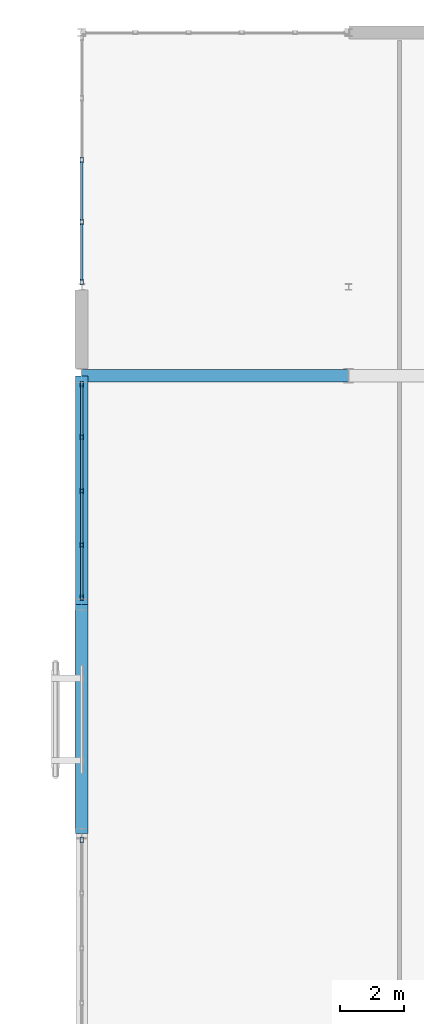
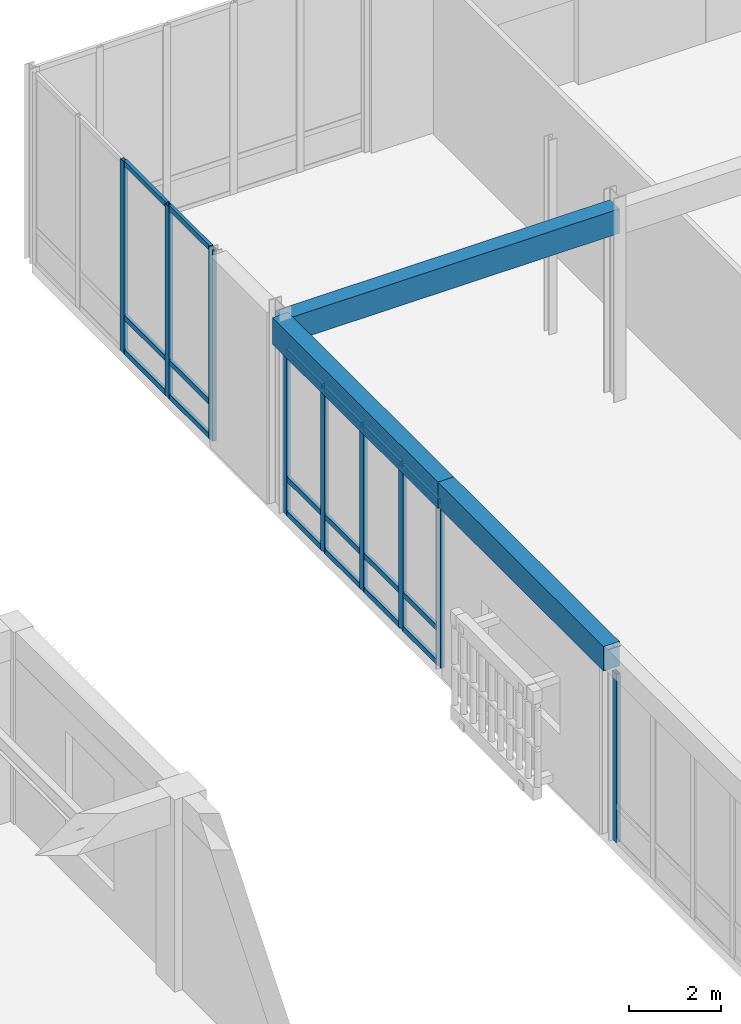
# One storey, part 69 of 169: 27 members, 3 beams, 3 elements without a shape of their own.
"""IFC4 building model written with IfcOpenShell, lengths in metres."""

from ifc_helpers import new_model, si_unit, direction, frame, origin, origin_2d, place, context, subcontext, project, spatial, rectangle, hollow_rectangle, extrude, material, layer, layer_set, material_profile, profile_set, type_object, element, aggregate, save


model = new_model("IFC4")

# Units and contexts
model_context = context("Model", 3, precision=1e-05, world=origin(), true_north=direction((0.0, 1.0)))
body_context = subcontext(model_context, "Body", "Model", "MODEL_VIEW")
ifc_project = project(units=[si_unit("LENGTHUNIT", "METRE"), si_unit("AREAUNIT", "SQUARE_METRE"), si_unit("VOLUMEUNIT", "CUBIC_METRE"), si_unit("PLANEANGLEUNIT", "RADIAN"), si_unit("MASSUNIT", "GRAM", prefix="KILO")], contexts=[model_context])

# Site, building, storey
site_placement = place(None, origin())
site = spatial("IfcSite", under=ifc_project, at=site_placement, CompositionType="ELEMENT")
building_placement = place(site_placement, origin())
building = spatial("IfcBuilding", under=site, at=building_placement, Name="Mazaris Harbour Polytechnic", CompositionType="ELEMENT")
storey_placement = place(building_placement, origin())
storey = spatial("IfcBuildingStorey", under=building, at=storey_placement, Name="L00", CompositionType="ELEMENT", Elevation=0.0)

# Curtain wall, member
ifc_material_1 = material(Name="Anodised Bronze Aluminium and Low-E Glass", Category="aluminium")
ifc_layer = layer(ifc_material_1, 0.14990234375, Name="Anodised Bronze Aluminium and Low-E Glass")
ifc_layer_set = layer_set([ifc_layer], Name="Anodised Bronze Aluminium and Low-E Glass")
curtain_wall_type = type_object("IfcCurtainWallType", Name="Workshop Clerestory Curtain Wall", PredefinedType="NOTDEFINED", material=ifc_layer_set)
curtain_wall_1_placement = place(storey_placement, origin())
curtain_wall_1 = element("IfcCurtainWall", 1, at=curtain_wall_1_placement, inside=storey, type_object=curtain_wall_type, Name="V1 L00 Curtain Wall 7", PredefinedType="NOTDEFINED")
ifc_material_2 = material(Name="Anodised Bronze Steel S355", Category="steel")
ifc_material_profile_1 = material_profile(ifc_material_2, hollow_rectangle(XDim=0.10009765625, YDim=0.179931640625, WallThickness=0.008056640625, at=origin_2d()), Name="RHS 100x180x8.0")
ifc_profile_set_1 = profile_set([ifc_material_profile_1], Name="Anodised Bronze Steel S355")
member_type_1 = type_object("IfcMemberType", Name="Curtain Mullion RHS100x180", PredefinedType="MULLION", material=ifc_profile_set_1)
member_1_placement = place(storey_placement, frame((54.0, 93.39306640625, 0.0), z_axis=(0.0, 0.0, 1.0), x_axis=(-1.0, 0.0, 0.0)))
member_1 = element("IfcMember", 2, at=member_1_placement, type_object=member_type_1, Name="CW-04 mullion 5", PredefinedType="MULLION", context=body_context, shape_type="SweptSolid", body=[
    extrude(hollow_rectangle(XDim=0.10009765625, YDim=0.179931640625, WallThickness=0.008056640625, at=origin_2d()), origin(), (0.0, 0.0, 1.0), 4.469970703125),
])
aggregate(curtain_wall_1, [member_1])

# Curtain wall, members
curtain_wall_2_placement = place(storey_placement, origin())
curtain_wall_2 = element("IfcCurtainWall", 3, at=curtain_wall_2_placement, inside=storey, type_object=curtain_wall_type, Name="V1 L00 Curtain Wall 8", PredefinedType="NOTDEFINED")
member_2_placement = place(storey_placement, frame((54.0, 101.027099609375, 0.0), z_axis=(0.0, 0.0, 1.0), x_axis=(-1.0, 0.0, 0.0)))
member_2 = element("IfcMember", 4, at=member_2_placement, type_object=member_type_1, Name="CW-04 mullion 1", PredefinedType="MULLION", context=body_context, shape_type="SweptSolid", body=[
    extrude(hollow_rectangle(XDim=0.10009765625, YDim=0.179931640625, WallThickness=0.008056640625, at=origin_2d()), origin(), (0.0, 0.0, 1.0), 4.3701171875),
])
member_3_placement = place(storey_placement, frame((54.0, 102.67724609375, 0.0), z_axis=(0.0, 0.0, 1.0), x_axis=(-1.0, 0.0, 0.0)))
member_3 = element("IfcMember", 5, at=member_3_placement, type_object=member_type_1, Name="CW-04 mullion 2", PredefinedType="MULLION", context=body_context, shape_type="SweptSolid", body=[
    extrude(hollow_rectangle(XDim=0.10009765625, YDim=0.179931640625, WallThickness=0.008056640625, at=origin_2d()), origin(), (0.0, 0.0, 1.0), 4.3701171875),
])
member_4_placement = place(storey_placement, frame((54.0, 104.37744140625, 0.0), z_axis=(0.0, 0.0, 1.0), x_axis=(-1.0, 0.0, 0.0)))
member_4 = element("IfcMember", 6, at=member_4_placement, type_object=member_type_1, Name="CW-04 mullion 3", PredefinedType="MULLION", context=body_context, shape_type="SweptSolid", body=[
    extrude(hollow_rectangle(XDim=0.10009765625, YDim=0.179931640625, WallThickness=0.008056640625, at=origin_2d()), origin(), (0.0, 0.0, 1.0), 4.3701171875),
])
member_5_placement = place(storey_placement, frame((54.0, 106.07763671875, 0.0), z_axis=(0.0, 0.0, 1.0), x_axis=(-1.0, 0.0, 0.0)))
member_5 = element("IfcMember", 7, at=member_5_placement, type_object=member_type_1, Name="CW-04 mullion 4", PredefinedType="MULLION", context=body_context, shape_type="SweptSolid", body=[
    extrude(hollow_rectangle(XDim=0.10009765625, YDim=0.179931640625, WallThickness=0.008056640625, at=origin_2d()), origin(), (0.0, 0.0, 1.0), 4.3701171875),
])
member_6_placement = place(storey_placement, frame((54.0, 107.72802734375, 0.0), z_axis=(0.0, 0.0, 1.0), x_axis=(-1.0, 0.0, 0.0)))
member_6 = element("IfcMember", 8, at=member_6_placement, type_object=member_type_1, Name="CW-04 mullion 5", PredefinedType="MULLION", context=body_context, shape_type="SweptSolid", body=[
    extrude(hollow_rectangle(XDim=0.10009765625, YDim=0.179931640625, WallThickness=0.008056640625, at=origin_2d()), origin(), (0.0, 0.0, 1.0), 4.3701171875),
])

curtain_wall_3_placement = place(storey_placement, origin())
curtain_wall_3 = element("IfcCurtainWall", 9, at=curtain_wall_3_placement, inside=storey, type_object=curtain_wall_type, Name="V1 L00 Curtain Wall 9", PredefinedType="NOTDEFINED")
member_7_placement = place(storey_placement, frame((54.0, 110.947021484375, 0.0), z_axis=(0.0, 0.0, 1.0), x_axis=(-1.0, 0.0, 0.0)))
member_7 = element("IfcMember", 10, at=member_7_placement, type_object=member_type_1, Name="CW-04 mullion 1", PredefinedType="MULLION", context=body_context, shape_type="SweptSolid", body=[
    extrude(hollow_rectangle(XDim=0.10009765625, YDim=0.179931640625, WallThickness=0.008056640625, at=origin_2d()), origin(), (0.0, 0.0, 1.0), 5.080078125),
])
member_8_placement = place(storey_placement, frame((54.0, 112.843505859375, 0.0), z_axis=(0.0, 0.0, 1.0), x_axis=(-1.0, 0.0, 0.0)))
member_8 = element("IfcMember", 11, at=member_8_placement, type_object=member_type_1, Name="CW-04 mullion 2", PredefinedType="MULLION", context=body_context, shape_type="SweptSolid", body=[
    extrude(hollow_rectangle(XDim=0.10009765625, YDim=0.179931640625, WallThickness=0.008056640625, at=origin_2d()), origin(), (0.0, 0.0, 1.0), 5.080078125),
])
member_9_placement = place(storey_placement, frame((54.0, 114.7900390625, 0.0), z_axis=(0.0, 0.0, 1.0), x_axis=(-1.0, 0.0, 0.0)))
member_9 = element("IfcMember", 12, at=member_9_placement, type_object=member_type_1, Name="CW-04 mullion 3", PredefinedType="MULLION", context=body_context, shape_type="SweptSolid", body=[
    extrude(hollow_rectangle(XDim=0.10009765625, YDim=0.179931640625, WallThickness=0.008056640625, at=origin_2d()), origin(), (0.0, 0.0, 1.0), 5.080078125),
])

# Member
ifc_material_3 = material(Name="Anodised Bronze Steel S355", Category="steel")
ifc_material_profile_2 = material_profile(ifc_material_3, hollow_rectangle(XDim=0.080078125, YDim=0.139892578125, WallThickness=0.00634765625, at=origin_2d()), Name="RHS 80x140x6.3")
ifc_profile_set_2 = profile_set([ifc_material_profile_2], Name="Anodised Bronze Steel S355")
member_type_2 = type_object("IfcMemberType", Name="Curtain Transom RHS80x140", PredefinedType="USERDEFINED", material=ifc_profile_set_2)
member_10_placement = place(storey_placement, frame((54.0, 101.076904296875, 0.0400390625), z_axis=(0.0, 1.0, 0.0), x_axis=(-1.0, 0.0, 0.0)))
member_10 = element("IfcMember", 13, at=member_10_placement, type_object=member_type_2, Name="CW-04 transom 1.1", ObjectType="TRANSOM", PredefinedType="USERDEFINED", context=body_context, shape_type="SweptSolid", body=[
    extrude(hollow_rectangle(XDim=0.080078125, YDim=0.139892578125, WallThickness=0.00634765625, at=origin_2d()), origin(), (0.0, 0.0, 1.0), 1.55029296875),
])

member_11_placement = place(storey_placement, frame((54.0, 101.076904296875, 0.949951171875), z_axis=(0.0, 1.0, 0.0), x_axis=(-1.0, 0.0, 0.0)))
member_11 = element("IfcMember", 14, at=member_11_placement, type_object=member_type_2, Name="CW-04 transom 1.2", ObjectType="TRANSOM", PredefinedType="USERDEFINED", context=body_context, shape_type="SweptSolid", body=[
    extrude(hollow_rectangle(XDim=0.080078125, YDim=0.139892578125, WallThickness=0.00634765625, at=origin_2d()), origin(), (0.0, 0.0, 1.0), 1.55029296875),
])

member_12_placement = place(storey_placement, frame((54.0, 101.076904296875, 4.330078125), z_axis=(0.0, 1.0, 0.0), x_axis=(-1.0, 0.0, 0.0)))
member_12 = element("IfcMember", 15, at=member_12_placement, type_object=member_type_2, Name="CW-04 transom 1.3", ObjectType="TRANSOM", PredefinedType="USERDEFINED", context=body_context, shape_type="SweptSolid", body=[
    extrude(hollow_rectangle(XDim=0.080078125, YDim=0.139892578125, WallThickness=0.00634765625, at=origin_2d()), origin(), (0.0, 0.0, 1.0), 1.55029296875),
])

member_13_placement = place(storey_placement, frame((54.0, 102.727294921875, 0.0400390625), z_axis=(0.0, 1.0, 0.0), x_axis=(-1.0, 0.0, 0.0)))
member_13 = element("IfcMember", 16, at=member_13_placement, type_object=member_type_2, Name="CW-04 transom 2.1", ObjectType="TRANSOM", PredefinedType="USERDEFINED", context=body_context, shape_type="SweptSolid", body=[
    extrude(hollow_rectangle(XDim=0.080078125, YDim=0.139892578125, WallThickness=0.00634765625, at=origin_2d()), origin(), (0.0, 0.0, 1.0), 1.60009765625),
])

member_14_placement = place(storey_placement, frame((54.0, 102.727294921875, 0.949951171875), z_axis=(0.0, 1.0, 0.0), x_axis=(-1.0, 0.0, 0.0)))
member_14 = element("IfcMember", 17, at=member_14_placement, type_object=member_type_2, Name="CW-04 transom 2.2", ObjectType="TRANSOM", PredefinedType="USERDEFINED", context=body_context, shape_type="SweptSolid", body=[
    extrude(hollow_rectangle(XDim=0.080078125, YDim=0.139892578125, WallThickness=0.00634765625, at=origin_2d()), origin(), (0.0, 0.0, 1.0), 1.60009765625),
])

member_15_placement = place(storey_placement, frame((54.0, 102.727294921875, 4.330078125), z_axis=(0.0, 1.0, 0.0), x_axis=(-1.0, 0.0, 0.0)))
member_15 = element("IfcMember", 18, at=member_15_placement, type_object=member_type_2, Name="CW-04 transom 2.3", ObjectType="TRANSOM", PredefinedType="USERDEFINED", context=body_context, shape_type="SweptSolid", body=[
    extrude(hollow_rectangle(XDim=0.080078125, YDim=0.139892578125, WallThickness=0.00634765625, at=origin_2d()), origin(), (0.0, 0.0, 1.0), 1.60009765625),
])

member_16_placement = place(storey_placement, frame((54.0, 104.427490234375, 0.0400390625), z_axis=(0.0, 1.0, 0.0), x_axis=(-1.0, 0.0, 0.0)))
member_16 = element("IfcMember", 19, at=member_16_placement, type_object=member_type_2, Name="CW-04 transom 3.1", ObjectType="TRANSOM", PredefinedType="USERDEFINED", context=body_context, shape_type="SweptSolid", body=[
    extrude(hollow_rectangle(XDim=0.080078125, YDim=0.139892578125, WallThickness=0.00634765625, at=origin_2d()), origin(), (0.0, 0.0, 1.0), 1.600341796875),
])

member_17_placement = place(storey_placement, frame((54.0, 104.427490234375, 0.949951171875), z_axis=(0.0, 1.0, 0.0), x_axis=(-1.0, 0.0, 0.0)))
member_17 = element("IfcMember", 20, at=member_17_placement, type_object=member_type_2, Name="CW-04 transom 3.2", ObjectType="TRANSOM", PredefinedType="USERDEFINED", context=body_context, shape_type="SweptSolid", body=[
    extrude(hollow_rectangle(XDim=0.080078125, YDim=0.139892578125, WallThickness=0.00634765625, at=origin_2d()), origin(), (0.0, 0.0, 1.0), 1.600341796875),
])

member_18_placement = place(storey_placement, frame((54.0, 104.427490234375, 4.330078125), z_axis=(0.0, 1.0, 0.0), x_axis=(-1.0, 0.0, 0.0)))
member_18 = element("IfcMember", 21, at=member_18_placement, type_object=member_type_2, Name="CW-04 transom 3.3", ObjectType="TRANSOM", PredefinedType="USERDEFINED", context=body_context, shape_type="SweptSolid", body=[
    extrude(hollow_rectangle(XDim=0.080078125, YDim=0.139892578125, WallThickness=0.00634765625, at=origin_2d()), origin(), (0.0, 0.0, 1.0), 1.600341796875),
])

member_19_placement = place(storey_placement, frame((54.0, 106.127685546875, 0.0400390625), z_axis=(0.0, 1.0, 0.0), x_axis=(-1.0, 0.0, 0.0)))
member_19 = element("IfcMember", 22, at=member_19_placement, type_object=member_type_2, Name="CW-04 transom 4.1", ObjectType="TRANSOM", PredefinedType="USERDEFINED", context=body_context, shape_type="SweptSolid", body=[
    extrude(hollow_rectangle(XDim=0.080078125, YDim=0.139892578125, WallThickness=0.00634765625, at=origin_2d()), origin(), (0.0, 0.0, 1.0), 1.55029296875),
])

member_20_placement = place(storey_placement, frame((54.0, 106.127685546875, 0.949951171875), z_axis=(0.0, 1.0, 0.0), x_axis=(-1.0, 0.0, 0.0)))
member_20 = element("IfcMember", 23, at=member_20_placement, type_object=member_type_2, Name="CW-04 transom 4.2", ObjectType="TRANSOM", PredefinedType="USERDEFINED", context=body_context, shape_type="SweptSolid", body=[
    extrude(hollow_rectangle(XDim=0.080078125, YDim=0.139892578125, WallThickness=0.00634765625, at=origin_2d()), origin(), (0.0, 0.0, 1.0), 1.55029296875),
])

member_21_placement = place(storey_placement, frame((54.0, 106.127685546875, 4.330078125), z_axis=(0.0, 1.0, 0.0), x_axis=(-1.0, 0.0, 0.0)))
member_21 = element("IfcMember", 24, at=member_21_placement, type_object=member_type_2, Name="CW-04 transom 4.3", ObjectType="TRANSOM", PredefinedType="USERDEFINED", context=body_context, shape_type="SweptSolid", body=[
    extrude(hollow_rectangle(XDim=0.080078125, YDim=0.139892578125, WallThickness=0.00634765625, at=origin_2d()), origin(), (0.0, 0.0, 1.0), 1.55029296875),
])

aggregate(curtain_wall_2, [member_2, member_3, member_4, member_5, member_6, member_10, member_11, member_12, member_13, member_14, member_15, member_16, member_17, member_18, member_19, member_20, member_21])

member_22_placement = place(storey_placement, frame((54.0, 110.9970703125, 0.0400390625), z_axis=(0.0, 1.0, 0.0), x_axis=(-1.0, 0.0, 0.0)))
member_22 = element("IfcMember", 25, at=member_22_placement, type_object=member_type_2, Name="CW-04 transom 1.1", ObjectType="TRANSOM", PredefinedType="USERDEFINED", context=body_context, shape_type="SweptSolid", body=[
    extrude(hollow_rectangle(XDim=0.080078125, YDim=0.139892578125, WallThickness=0.00634765625, at=origin_2d()), origin(), (0.0, 0.0, 1.0), 1.79638671875),
])

member_23_placement = place(storey_placement, frame((54.0, 110.9970703125, 0.949951171875), z_axis=(0.0, 1.0, 0.0), x_axis=(-1.0, 0.0, 0.0)))
member_23 = element("IfcMember", 26, at=member_23_placement, type_object=member_type_2, Name="CW-04 transom 1.2", ObjectType="TRANSOM", PredefinedType="USERDEFINED", context=body_context, shape_type="SweptSolid", body=[
    extrude(hollow_rectangle(XDim=0.080078125, YDim=0.139892578125, WallThickness=0.00634765625, at=origin_2d()), origin(), (0.0, 0.0, 1.0), 1.79638671875),
])

member_24_placement = place(storey_placement, frame((54.0, 110.9970703125, 5.0400390625), z_axis=(0.0, 1.0, 0.0), x_axis=(-1.0, 0.0, 0.0)))
member_24 = element("IfcMember", 27, at=member_24_placement, type_object=member_type_2, Name="CW-04 transom 1.3", ObjectType="TRANSOM", PredefinedType="USERDEFINED", context=body_context, shape_type="SweptSolid", body=[
    extrude(hollow_rectangle(XDim=0.080078125, YDim=0.139892578125, WallThickness=0.00634765625, at=origin_2d()), origin(), (0.0, 0.0, 1.0), 1.79638671875),
])

member_25_placement = place(storey_placement, frame((54.0, 112.8935546875, 0.0400390625), z_axis=(0.0, 1.0, 0.0), x_axis=(-1.0, 0.0, 0.0)))
member_25 = element("IfcMember", 28, at=member_25_placement, type_object=member_type_2, Name="CW-04 transom 2.1", ObjectType="TRANSOM", PredefinedType="USERDEFINED", context=body_context, shape_type="SweptSolid", body=[
    extrude(hollow_rectangle(XDim=0.080078125, YDim=0.139892578125, WallThickness=0.00634765625, at=origin_2d()), origin(), (0.0, 0.0, 1.0), 1.846435546875),
])

member_26_placement = place(storey_placement, frame((54.0, 112.8935546875, 0.949951171875), z_axis=(0.0, 1.0, 0.0), x_axis=(-1.0, 0.0, 0.0)))
member_26 = element("IfcMember", 29, at=member_26_placement, type_object=member_type_2, Name="CW-04 transom 2.2", ObjectType="TRANSOM", PredefinedType="USERDEFINED", context=body_context, shape_type="SweptSolid", body=[
    extrude(hollow_rectangle(XDim=0.080078125, YDim=0.139892578125, WallThickness=0.00634765625, at=origin_2d()), origin(), (0.0, 0.0, 1.0), 1.846435546875),
])

member_27_placement = place(storey_placement, frame((54.0, 112.8935546875, 5.0400390625), z_axis=(0.0, 1.0, 0.0), x_axis=(-1.0, 0.0, 0.0)))
member_27 = element("IfcMember", 30, at=member_27_placement, type_object=member_type_2, Name="CW-04 transom 2.3", ObjectType="TRANSOM", PredefinedType="USERDEFINED", context=body_context, shape_type="SweptSolid", body=[
    extrude(hollow_rectangle(XDim=0.080078125, YDim=0.139892578125, WallThickness=0.00634765625, at=origin_2d()), origin(), (0.0, 0.0, 1.0), 1.846435546875),
])

aggregate(curtain_wall_3, [member_7, member_8, member_9, member_22, member_23, member_24, member_25, member_26, member_27])

# Beams
ifc_material_4 = material(Name="Concrete C35/45", Category="concrete")
ifc_material_profile_3 = material_profile(ifc_material_4, rectangle(XDim=0.39990234375, YDim=0.64990234375, at=origin_2d()), Name="RECT400x650")
ifc_profile_set_3 = profile_set([ifc_material_profile_3], Name="Concrete C35/45")
beam_type_1 = type_object("IfcBeamType", Name="RC Girder 400x650 Exterior", PredefinedType="BEAM", material=ifc_profile_set_3)
beam_1_placement = place(storey_placement, frame((54.0, 108.0, 4.7548828125), z_axis=(1.0, 0.0, 0.0), x_axis=(0.0, 1.0, 0.0)))
element("IfcBeam", 31, at=beam_1_placement, inside=storey, type_object=beam_type_1, Name="V1 L00 Girder 196", PredefinedType="BEAM", context=body_context, shape_type="SweptSolid", body=[
    extrude(rectangle(XDim=0.39990234375, YDim=0.64990234375, at=origin_2d()), origin(), (0.0, 0.0, 1.0), 8.39990234375),
])
beam_2_placement = place(storey_placement, frame((54.0, 93.60009765625, 4.7548828125), z_axis=(0.0, 1.0, 0.0), x_axis=(-1.0, 0.0, 0.0)))
element("IfcBeam", 32, at=beam_2_placement, inside=storey, type_object=beam_type_1, Name="V1 L00 Tie Girder 206", PredefinedType="BEAM", context=body_context, shape_type="SweptSolid", body=[
    extrude(rectangle(XDim=0.39990234375, YDim=0.64990234375, at=origin_2d()), origin(), (0.0, 0.0, 1.0), 7.199951171875),
])
ifc_material_5 = material(Name="Concrete C35/45", Category="concrete")
ifc_material_profile_4 = material_profile(ifc_material_5, rectangle(XDim=0.39990234375, YDim=0.699951171875, at=origin_2d()), Name="RECT400x700")
ifc_profile_set_4 = profile_set([ifc_material_profile_4], Name="Concrete C35/45")
beam_type_2 = type_object("IfcBeamType", Name="RC Girder 400x700 Exterior", PredefinedType="BEAM", material=ifc_profile_set_4)
beam_3_placement = place(storey_placement, frame((54.0, 100.800048828125, 4.72998046875), z_axis=(0.0, 1.0, 0.0), x_axis=(-1.0, 0.0, 0.0)))
element("IfcBeam", 33, at=beam_3_placement, inside=storey, type_object=beam_type_2, Name="V1 L00 Tie Girder 207", PredefinedType="BEAM", context=body_context, shape_type="SweptSolid", body=[
    extrude(rectangle(XDim=0.39990234375, YDim=0.699951171875, at=origin_2d()), origin(), (0.0, 0.0, 1.0), 7.199951171875),
])

save(model, "model.ifc")
